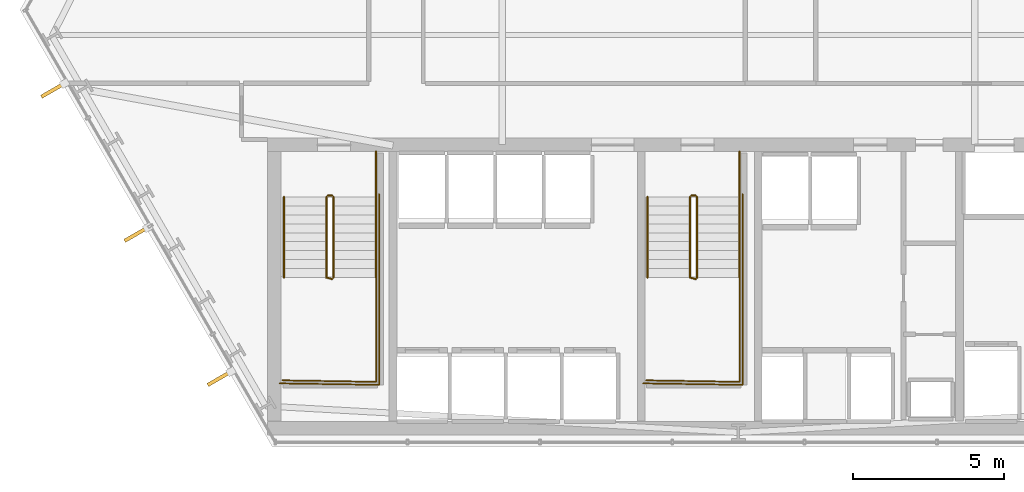
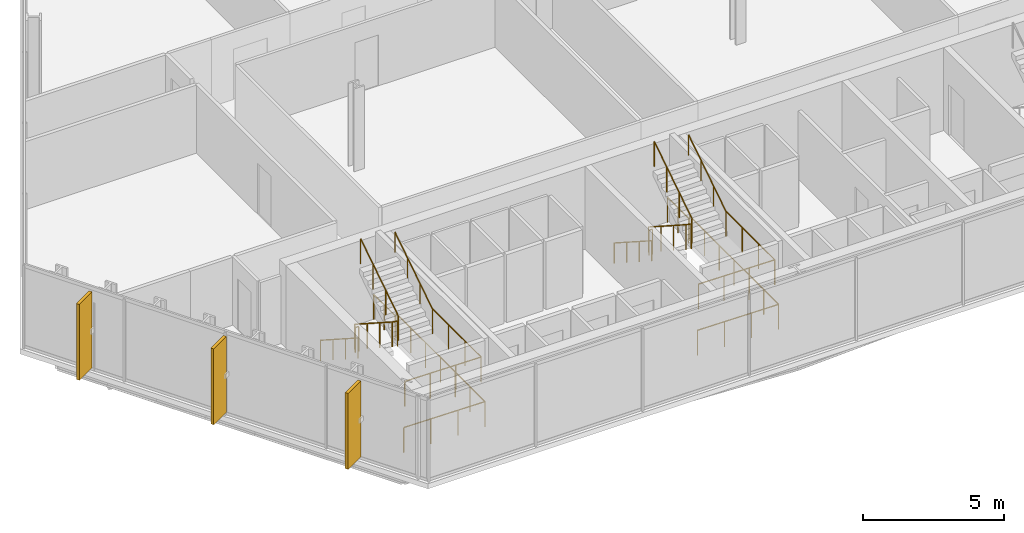
# One storey, part 30 of 33: 16 railings, 3 shading devices.
"""IFC4 building model written with IfcOpenShell, lengths in metres."""

import ifcopenshell
import ifcopenshell.guid

model = None  # the IFC model being written
_history = None  # IfcOwnerHistory: only IFC2X3 demands one
_inside = {}  # id of a spatial element -> (the spatial element, [elements in it])
_under = {}  # id of a project, library or spatial element -> (it, [spatial elements below it])
_declared = {}  # id of a project -> (the project, [libraries it declares])
_typed = {}  # id of a type object -> (the type object, [elements of that type])
_made_of = {}  # id of a material, layer set ... -> (it, [elements and type objects made of it])


def new_model(schema):
    """Start an empty IFC model of exactly this schema.

    Asked for "IFC4X3", IfcOpenShell would pick the latest addendum, in which some entities
    have other attributes; the version numbers below select the first issue.
    IFC2X3 requires an IfcOwnerHistory on every rooted entity: one is made here for all.
    """
    global model, _history
    if schema == "IFC4X3":
        model = ifcopenshell.file(schema_version=(4, 3, 0, 0))
    else:
        model = ifcopenshell.file(schema=schema)
    _inside.clear()
    _under.clear()
    _declared.clear()
    _typed.clear()
    _made_of.clear()
    _history = None
    if model.schema == "IFC2X3":
        org = make("IfcOrganization", Name="unknown")
        user = make(
            "IfcPersonAndOrganization",
            ThePerson=make("IfcPerson", FamilyName="unknown"),
            TheOrganization=org,
        )
        app = make(
            "IfcApplication",
            ApplicationDeveloper=org,
            Version="unknown",
            ApplicationFullName="unknown",
            ApplicationIdentifier="unknown",
        )
        _history = make(
            "IfcOwnerHistory",
            OwningUser=user,
            OwningApplication=app,
            ChangeAction="ADDED",
            CreationDate=0,
        )
    return model


def make(cls, **values):
    """One entity of the class cls with the attributes given. An attribute that is None is left unset."""
    return model.create_entity(
        cls, **{name: value for name, value in values.items() if value is not None}
    )


def rooted(cls, **values):
    """An entity with a GlobalId (a new one), such as an element, a storey or a relation."""
    return make(cls, GlobalId=ifcopenshell.guid.new(), OwnerHistory=_history, **values)


def si_unit(unit_type, name, prefix=None):
    """IfcSIUnit, for example si_unit("LENGTHUNIT", "METRE", prefix="MILLI")."""
    return make("IfcSIUnit", UnitType=unit_type, Prefix=prefix, Name=name)


def assignment(units):
    """IfcUnitAssignment: the units of a project."""
    return None if units is None else make("IfcUnitAssignment", Units=units)


def point(xyz):
    """IfcCartesianPoint."""
    return None if xyz is None else make("IfcCartesianPoint", Coordinates=xyz)


def direction(xyz):
    """IfcDirection."""
    return None if xyz is None else make("IfcDirection", DirectionRatios=xyz)


def frame(location, z_axis=None, x_axis=None):
    """IfcAxis2Placement3D, a coordinate frame: its origin and axes. An axis left out is left unset."""
    return make(
        "IfcAxis2Placement3D",
        Location=point(location),
        Axis=direction(z_axis),
        RefDirection=direction(x_axis),
    )


def frame_2d(location, x_axis=None):
    """IfcAxis2Placement2D, a coordinate frame in the plane: its origin and x axis."""
    return make(
        "IfcAxis2Placement2D", Location=point(location), RefDirection=direction(x_axis)
    )


def origin():
    """The frame at (0, 0, 0) with its axes left unset."""
    return frame((0.0, 0.0, 0.0))


def origin_2d():
    """The frame at (0, 0) in the plane with its x axis left unset."""
    return frame_2d((0.0, 0.0))


def place(relative_to, where):
    """IfcLocalPlacement: puts the frame where relative to a parent placement (None: the world)."""
    return make(
        "IfcLocalPlacement", PlacementRelTo=relative_to, RelativePlacement=where
    )


def context(
    kind, dimensions, precision=None, world=None, true_north=None, identifier=None
):
    """IfcGeometricRepresentationContext, for example the 3D "Model" context."""
    return make(
        "IfcGeometricRepresentationContext",
        ContextIdentifier=identifier,
        ContextType=kind,
        CoordinateSpaceDimension=dimensions,
        Precision=precision,
        WorldCoordinateSystem=world,
        TrueNorth=true_north,
    )


def subcontext(parent, identifier, kind, view, scale=None):
    """IfcGeometricRepresentationSubContext, for example "Body" below "Model"."""
    return make(
        "IfcGeometricRepresentationSubContext",
        ContextIdentifier=identifier,
        ContextType=kind,
        ParentContext=parent,
        TargetScale=scale,
        TargetView=view,
    )


def project(units=None, contexts=None):
    """IfcProject with its units and contexts."""
    return rooted(
        "IfcProject",
        Name="project",
        RepresentationContexts=contexts,
        UnitsInContext=assignment(units),
    )


def spatial(cls, under=None, at=None, **own):
    """A site, building, storey or space (cls), placed at a placement, below another one or the project."""
    s = rooted(cls, ObjectPlacement=at, **own)
    if under is not None:
        _under.setdefault(under.id(), (under, []))[1].append(s)
    return s


def profile(cls, at=None, kind="AREA", **sizes):
    """A parametric profile (cls). Its sizes go by their IFC names, for example OverallWidth=200.0."""
    return make(cls, ProfileType=kind, Position=at, **sizes)


def rectangle(**sizes):
    """IfcRectangleProfileDef."""
    return profile("IfcRectangleProfileDef", **sizes)


def circle(**sizes):
    """IfcCircleProfileDef."""
    return profile("IfcCircleProfileDef", **sizes)


def extrude(swept, where, along, depth):
    """IfcExtrudedAreaSolid: the profile swept, set in the frame where, extruded along a direction by depth."""
    return make(
        "IfcExtrudedAreaSolid",
        SweptArea=swept,
        Position=where,
        ExtrudedDirection=direction(along),
        Depth=depth,
    )


def shape(context_of_items, identifier, shape_type, items):
    """IfcShapeRepresentation: the items that make up one representation, for example the "Body"."""
    return make(
        "IfcShapeRepresentation",
        ContextOfItems=context_of_items,
        RepresentationIdentifier=identifier,
        RepresentationType=shape_type,
        Items=items,
    )


def material(Name=None, Category=None):
    """IfcMaterial."""
    return make("IfcMaterial", Name=Name, Category=Category)


def layer(
    of_material, thickness, ventilated=None, Name=None, Category=None, Priority=None
):
    """IfcMaterialLayer: one layer of a wall or slab, of a material (None: an air gap)."""
    return make(
        "IfcMaterialLayer",
        Material=of_material,
        LayerThickness=thickness,
        IsVentilated=ventilated,
        Name=Name,
        Category=Category,
        Priority=Priority,
    )


def layer_set(layers, Name=None):
    """IfcMaterialLayerSet."""
    return make("IfcMaterialLayerSet", MaterialLayers=layers, LayerSetName=Name)


def made_of(thing, what):
    """Note that an element or type object is made of a material, layer set ...; save() writes the relation."""
    if what is not None:
        _made_of.setdefault(what.id(), (what, []))[1].append(thing)
    return thing


def type_object(cls, material=None, **own):
    """A type object (cls), such as IfcWallType, which elements share."""
    return made_of(rooted(cls, **own), material)


def element(
    cls,
    number,
    at=None,
    inside=None,
    cuts=None,
    type_object=None,
    material=None,
    context=None,
    identifier="Body",
    shape_type=None,
    held_by="IfcProductDefinitionShape",
    body=None,
    shapes=None,
    **own,
):
    """One element of the class cls, such as IfcWall. Its Tag is "e" and its number.

    at: its placement. inside: the storey or other place that contains it. cuts: it is an
    opening in that element (IfcRelVoidsElement). A single representation is given by context,
    identifier, shape_type and body (its items); several are given by shapes. held_by: the class
    of the entity that holds the representations. save() writes the other relations.
    """
    e = rooted(cls, Tag="e%d" % number, ObjectPlacement=at, **own)
    if body is not None:
        shapes = [shape(context, identifier, shape_type, body)]
    if shapes is not None:
        e.Representation = make(held_by, Representations=shapes)
    if inside is not None:
        _inside.setdefault(inside.id(), (inside, []))[1].append(e)
    if cuts is not None:
        rooted(
            "IfcRelVoidsElement", RelatingBuildingElement=cuts, RelatedOpeningElement=e
        )
    if type_object is not None:
        _typed.setdefault(type_object.id(), (type_object, []))[1].append(e)
    return made_of(e, material)


def aggregate(whole, parts):
    """IfcRelAggregates: a whole, such as a stair, and the parts it consists of."""
    return rooted("IfcRelAggregates", RelatingObject=whole, RelatedObjects=parts)


def save(model, path):
    """Write the relations noted so far, then the file.

    IfcRelAggregates (storeys below a building ...), IfcRelContainedInSpatialStructure (elements
    in a storey), IfcRelDefinesByType, IfcRelAssociatesMaterial and IfcRelDeclares: one each for
    every whole, place, type object, material and project.
    """
    for whole, parts in _under.values():
        aggregate(whole, parts)
    for where, things in _inside.values():
        rooted(
            "IfcRelContainedInSpatialStructure",
            RelatedElements=things,
            RelatingStructure=where,
        )
    for kind, things in _typed.values():
        rooted("IfcRelDefinesByType", RelatedObjects=things, RelatingType=kind)
    for what, things in _made_of.values():
        rooted("IfcRelAssociatesMaterial", RelatedObjects=things, RelatingMaterial=what)
    for by, libraries in _declared.values():
        rooted("IfcRelDeclares", RelatingContext=by, RelatedDefinitions=libraries)
    model.write(path)


model = new_model("IFC4")

# Units and contexts
model_context = context("Model", 3, precision=1e-05, world=origin(), true_north=direction((0.0, 1.0)))
body_context = subcontext(model_context, "Body", "Model", "MODEL_VIEW")
ifc_project = project(units=[si_unit("LENGTHUNIT", "METRE"), si_unit("AREAUNIT", "SQUARE_METRE"), si_unit("VOLUMEUNIT", "CUBIC_METRE"), si_unit("PLANEANGLEUNIT", "RADIAN"), si_unit("MASSUNIT", "GRAM", prefix="KILO")], contexts=[model_context])

# Site, building, storey
site_placement = place(None, origin())
site = spatial("IfcSite", under=ifc_project, at=site_placement, CompositionType="ELEMENT")
building_placement = place(site_placement, origin())
building = spatial("IfcBuilding", under=site, at=building_placement, Name="Ndaravel Arena Tower", CompositionType="ELEMENT")
storey_placement = place(building_placement, frame((0.0, 0.0, 39.800048828125)))
storey = spatial("IfcBuildingStorey", under=building, at=storey_placement, Name="L07", CompositionType="ELEMENT", Elevation=39.800048828125)

# Railings
ifc_material_1 = material(Name="Steel S355", Category="steel")
ifc_layer_1 = layer(ifc_material_1, 0.06005859375)
ifc_layer_set_1 = layer_set([ifc_layer_1], Name="Steel S355")
railing_type_1 = type_object("IfcRailingType", Name="RAIL-STAIR-GD1100", PredefinedType="GUARDRAIL", material=ifc_layer_set_1)
railing_1_placement = place(storey_placement, frame((28.39990234375, 13.25, 0.18994140625)))
element("IfcRailing", 1, at=railing_1_placement, inside=storey, type_object=railing_type_1, Name="L07 ST-1 stair guard 1", PredefinedType="GUARDRAIL", context=body_context, shape_type="SweptSolid", body=[
    extrude(circle(Radius=0.02392578125, at=origin_2d()), frame((0.0, 0.0, 1.076171875), z_axis=(0.0, -0.840723540582, 0.54146461409), x_axis=(1.0, 0.0, 0.0)), (0.0, 0.0, 1.0), 3.157958984375),
    extrude(circle(Radius=0.02392578125, at=origin_2d()), frame((0.0, -2.655029296875, 2.7861328125), z_axis=(0.967074537263, -0.25449329928, 0.0), x_axis=(0.25449329928, 0.967074537263, 0.0)), (0.0, 0.0, 1.0), 0.19677734375),
    extrude(circle(Radius=0.02099609375, at=origin_2d()), origin(), (0.0, 0.0, 1.0), 1.052001953125),
    extrude(circle(Radius=0.02099609375, at=origin_2d()), frame((0.0, -0.885009765625, 0.570068359375)), (0.0, 0.0, 1.0), 1.052001953125),
    extrude(circle(Radius=0.02099609375, at=origin_2d()), frame((0.0, -1.77001953125, 1.139892578125)), (0.0, 0.0, 1.0), 1.052001953125),
    extrude(circle(Radius=0.02099609375, at=origin_2d()), frame((0.0, -2.655029296875, 1.7099609375)), (0.0, 0.0, 1.0), 1.052001953125),
    extrude(circle(Radius=0.02099609375, at=origin_2d()), frame((0.190185546875, -2.705078125, 1.7099609375)), (0.0, 0.0, 1.0), 1.052001953125),
])
railing_2_placement = place(storey_placement, frame((30.0400390625, 10.594970703125, 1.89990234375)))
element("IfcRailing", 2, at=railing_2_placement, inside=storey, type_object=railing_type_1, Name="L07 ST-1 stair guard 2", PredefinedType="GUARDRAIL", context=body_context, shape_type="SweptSolid", body=[
    extrude(circle(Radius=0.02392578125, at=origin_2d()), frame((0.0, 0.0, 1.076171875), z_axis=(0.0, -1.0, 0.0), x_axis=(1.0, 0.0, 0.0)), (0.0, 0.0, 1.0), 3.445068359375),
    extrude(circle(Radius=0.02392578125, at=origin_2d()), frame((0.0, -3.445068359375, 1.076171875), z_axis=(-0.999868861343, 0.016194447071, 0.0), x_axis=(-0.016194447071, -0.999868861343, 0.0)), (0.0, 0.0, 1.0), 3.090576171875),
    extrude(circle(Radius=0.02099609375, at=origin_2d()), origin(), (0.0, 0.0, 1.0), 1.052001953125),
    extrude(circle(Radius=0.02099609375, at=origin_2d()), frame((0.0, -1.1484375, 0.0)), (0.0, 0.0, 1.0), 1.052001953125),
    extrude(circle(Radius=0.02099609375, at=origin_2d()), frame((0.0, -2.296630859375, 0.0)), (0.0, 0.0, 1.0), 1.052001953125),
    extrude(circle(Radius=0.02099609375, at=origin_2d()), frame((0.0, -3.445068359375, 0.0)), (0.0, 0.0, 1.0), 1.052001953125),
    extrude(circle(Radius=0.02099609375, at=origin_2d()), frame((-1.030029296875, -3.428466796875, 0.0)), (0.0, 0.0, 1.0), 1.052001953125),
    extrude(circle(Radius=0.02099609375, at=origin_2d()), frame((-2.06005859375, -3.41162109375, 0.0)), (0.0, 0.0, 1.0), 1.052001953125),
    extrude(circle(Radius=0.02099609375, at=origin_2d()), frame((-3.090087890625, -3.39501953125, 0.0)), (0.0, 0.0, 1.0), 1.052001953125),
])
railing_3_placement = place(storey_placement, frame((28.639892578125, 10.594970703125, 2.08984375)))
element("IfcRailing", 3, at=railing_3_placement, inside=storey, type_object=railing_type_1, Name="L07 ST-1 stair guard 3", PredefinedType="GUARDRAIL", context=body_context, shape_type="SweptSolid", body=[
    extrude(circle(Radius=0.02392578125, at=origin_2d()), frame((0.0, 0.0, 1.076171875), z_axis=(0.0, 0.840688348013, 0.541519253134), x_axis=(-1.0, 0.0, 0.0)), (0.0, 0.0, 1.0), 3.158203125),
    extrude(circle(Radius=0.02099609375, at=origin_2d()), origin(), (0.0, 0.0, 1.0), 1.052001953125),
    extrude(circle(Radius=0.02099609375, at=origin_2d()), frame((0.0, 0.885009765625, 0.570068359375)), (0.0, 0.0, 1.0), 1.052001953125),
    extrude(circle(Radius=0.02099609375, at=origin_2d()), frame((0.0, 1.77001953125, 1.14013671875)), (0.0, 0.0, 1.0), 1.052001953125),
    extrude(circle(Radius=0.02099609375, at=origin_2d()), frame((0.0, 2.655029296875, 1.710205078125)), (0.0, 0.0, 1.0), 1.052001953125),
])
railing_4_placement = place(storey_placement, frame((28.449951171875, 13.300048828125, 0.0)))
element("IfcRailing", 4, at=railing_4_placement, inside=storey, type_object=railing_type_1, Name="L07 ST-1 stair guard 4", PredefinedType="GUARDRAIL", context=body_context, shape_type="SweptSolid", body=[
    extrude(circle(Radius=0.02392578125, at=origin_2d()), frame((0.0, 0.0, 1.076171875), z_axis=(1.0, 0.0, 0.0), x_axis=(0.0, 1.0, 0.0)), (0.0, 0.0, 1.0), 0.14013671875),
    extrude(circle(Radius=0.02099609375, at=origin_2d()), origin(), (0.0, 0.0, 1.0), 1.052001953125),
    extrude(circle(Radius=0.02099609375, at=origin_2d()), frame((0.14013671875, 0.0, 0.0)), (0.0, 0.0, 1.0), 1.052001953125),
])
railing_5_placement = place(storey_placement, frame((30.0400390625, 14.75, 0.0)))
element("IfcRailing", 5, at=railing_5_placement, inside=storey, type_object=railing_type_1, Name="L07 ST-1 stair guard 5", PredefinedType="GUARDRAIL", context=body_context, shape_type="SweptSolid", body=[
    extrude(circle(Radius=0.02392578125, at=origin_2d()), frame((0.0, 0.0, 1.076171875), z_axis=(0.0, -1.0, 0.0), x_axis=(1.0, 0.0, 0.0)), (0.0, 0.0, 1.0), 1.5),
    extrude(circle(Radius=0.02099609375, at=origin_2d()), origin(), (0.0, 0.0, 1.0), 1.052001953125),
    extrude(circle(Radius=0.02099609375, at=origin_2d()), frame((0.0, -0.75, 0.0)), (0.0, 0.0, 1.0), 1.052001953125),
    extrude(circle(Radius=0.02099609375, at=origin_2d()), frame((0.0, -1.5, 0.0)), (0.0, 0.0, 1.0), 1.052001953125),
])
railing_6_placement = place(storey_placement, frame((30.139892578125, 13.35009765625, 0.0)))
element("IfcRailing", 6, at=railing_6_placement, inside=storey, type_object=railing_type_1, Name="L07 ST-1 stair guard 6", PredefinedType="GUARDRAIL", context=body_context, shape_type="SweptSolid", body=[
    extrude(circle(Radius=0.02392578125, at=origin_2d()), frame((0.0, 0.0, 1.076171875), z_axis=(0.0, -1.0, 0.0), x_axis=(1.0, 0.0, 0.0)), (0.0, 0.0, 1.0), 6.300048828125),
    extrude(circle(Radius=0.02392578125, at=origin_2d()), frame((0.0, -6.300048828125, 1.076171875), z_axis=(-0.999884296952, 0.015211597839, 0.0), x_axis=(-0.015211597839, -0.999884296952, 0.0)), (0.0, 0.0, 1.0), 3.290283203125),
    extrude(circle(Radius=0.02099609375, at=origin_2d()), origin(), (0.0, 0.0, 1.0), 1.052001953125),
    extrude(circle(Radius=0.02099609375, at=origin_2d()), frame((0.0, -1.050048828125, 0.0)), (0.0, 0.0, 1.0), 1.052001953125),
    extrude(circle(Radius=0.02099609375, at=origin_2d()), frame((0.0, -2.10009765625, 0.0)), (0.0, 0.0, 1.0), 1.052001953125),
    extrude(circle(Radius=0.02099609375, at=origin_2d()), frame((0.0, -3.14990234375, 0.0)), (0.0, 0.0, 1.0), 1.052001953125),
    extrude(circle(Radius=0.02099609375, at=origin_2d()), frame((0.0, -4.199951171875, 0.0)), (0.0, 0.0, 1.0), 1.052001953125),
    extrude(circle(Radius=0.02099609375, at=origin_2d()), frame((0.0, -5.25, 0.0)), (0.0, 0.0, 1.0), 1.052001953125),
    extrude(circle(Radius=0.02099609375, at=origin_2d()), frame((0.0, -6.300048828125, 0.0)), (0.0, 0.0, 1.0), 1.052001953125),
    extrude(circle(Radius=0.02099609375, at=origin_2d()), frame((-1.0966796875, -6.283447265625, 0.0)), (0.0, 0.0, 1.0), 1.052001953125),
    extrude(circle(Radius=0.02099609375, at=origin_2d()), frame((-2.193115234375, -6.2666015625, 0.0)), (0.0, 0.0, 1.0), 1.052001953125),
    extrude(circle(Radius=0.02099609375, at=origin_2d()), frame((-3.289794921875, -6.25, 0.0)), (0.0, 0.0, 1.0), 1.052001953125),
])
railing_7_placement = place(storey_placement, frame((40.39990234375, 13.25, 0.18994140625)))
element("IfcRailing", 7, at=railing_7_placement, inside=storey, type_object=railing_type_1, Name="L07 ST-2 stair guard 1", PredefinedType="GUARDRAIL", context=body_context, shape_type="SweptSolid", body=[
    extrude(circle(Radius=0.02392578125, at=origin_2d()), frame((0.0, 0.0, 1.076171875), z_axis=(0.0, -0.840723540582, 0.54146461409), x_axis=(1.0, 0.0, 0.0)), (0.0, 0.0, 1.0), 3.157958984375),
    extrude(circle(Radius=0.02392578125, at=origin_2d()), frame((0.0, -2.655029296875, 2.7861328125), z_axis=(0.967074537263, -0.25449329928, 0.0), x_axis=(0.25449329928, 0.967074537263, 0.0)), (0.0, 0.0, 1.0), 0.19677734375),
    extrude(circle(Radius=0.02099609375, at=origin_2d()), origin(), (0.0, 0.0, 1.0), 1.052001953125),
    extrude(circle(Radius=0.02099609375, at=origin_2d()), frame((0.0, -0.885009765625, 0.570068359375)), (0.0, 0.0, 1.0), 1.052001953125),
    extrude(circle(Radius=0.02099609375, at=origin_2d()), frame((0.0, -1.77001953125, 1.139892578125)), (0.0, 0.0, 1.0), 1.052001953125),
    extrude(circle(Radius=0.02099609375, at=origin_2d()), frame((0.0, -2.655029296875, 1.7099609375)), (0.0, 0.0, 1.0), 1.052001953125),
    extrude(circle(Radius=0.02099609375, at=origin_2d()), frame((0.190185546875, -2.705078125, 1.7099609375)), (0.0, 0.0, 1.0), 1.052001953125),
])
railing_8_placement = place(storey_placement, frame((42.0400390625, 10.594970703125, 1.89990234375)))
element("IfcRailing", 8, at=railing_8_placement, inside=storey, type_object=railing_type_1, Name="L07 ST-2 stair guard 2", PredefinedType="GUARDRAIL", context=body_context, shape_type="SweptSolid", body=[
    extrude(circle(Radius=0.02392578125, at=origin_2d()), frame((0.0, 0.0, 1.076171875), z_axis=(0.0, -1.0, 0.0), x_axis=(1.0, 0.0, 0.0)), (0.0, 0.0, 1.0), 3.445068359375),
    extrude(circle(Radius=0.02392578125, at=origin_2d()), frame((0.0, -3.445068359375, 1.076171875), z_axis=(-0.999868861343, 0.016194447071, 0.0), x_axis=(-0.016194447071, -0.999868861343, 0.0)), (0.0, 0.0, 1.0), 3.090576171875),
    extrude(circle(Radius=0.02099609375, at=origin_2d()), origin(), (0.0, 0.0, 1.0), 1.052001953125),
    extrude(circle(Radius=0.02099609375, at=origin_2d()), frame((0.0, -1.1484375, 0.0)), (0.0, 0.0, 1.0), 1.052001953125),
    extrude(circle(Radius=0.02099609375, at=origin_2d()), frame((0.0, -2.296630859375, 0.0)), (0.0, 0.0, 1.0), 1.052001953125),
    extrude(circle(Radius=0.02099609375, at=origin_2d()), frame((0.0, -3.445068359375, 0.0)), (0.0, 0.0, 1.0), 1.052001953125),
    extrude(circle(Radius=0.02099609375, at=origin_2d()), frame((-1.030029296875, -3.428466796875, 0.0)), (0.0, 0.0, 1.0), 1.052001953125),
    extrude(circle(Radius=0.02099609375, at=origin_2d()), frame((-2.06005859375, -3.41162109375, 0.0)), (0.0, 0.0, 1.0), 1.052001953125),
    extrude(circle(Radius=0.02099609375, at=origin_2d()), frame((-3.090087890625, -3.39501953125, 0.0)), (0.0, 0.0, 1.0), 1.052001953125),
])
railing_9_placement = place(storey_placement, frame((40.639892578125, 10.594970703125, 2.08984375)))
element("IfcRailing", 9, at=railing_9_placement, inside=storey, type_object=railing_type_1, Name="L07 ST-2 stair guard 3", PredefinedType="GUARDRAIL", context=body_context, shape_type="SweptSolid", body=[
    extrude(circle(Radius=0.02392578125, at=origin_2d()), frame((0.0, 0.0, 1.076171875), z_axis=(0.0, 0.840688348013, 0.541519253134), x_axis=(-1.0, 0.0, 0.0)), (0.0, 0.0, 1.0), 3.158203125),
    extrude(circle(Radius=0.02099609375, at=origin_2d()), origin(), (0.0, 0.0, 1.0), 1.052001953125),
    extrude(circle(Radius=0.02099609375, at=origin_2d()), frame((0.0, 0.885009765625, 0.570068359375)), (0.0, 0.0, 1.0), 1.052001953125),
    extrude(circle(Radius=0.02099609375, at=origin_2d()), frame((0.0, 1.77001953125, 1.14013671875)), (0.0, 0.0, 1.0), 1.052001953125),
    extrude(circle(Radius=0.02099609375, at=origin_2d()), frame((0.0, 2.655029296875, 1.710205078125)), (0.0, 0.0, 1.0), 1.052001953125),
])
railing_10_placement = place(storey_placement, frame((40.449951171875, 13.300048828125, 0.0)))
element("IfcRailing", 10, at=railing_10_placement, inside=storey, type_object=railing_type_1, Name="L07 ST-2 stair guard 4", PredefinedType="GUARDRAIL", context=body_context, shape_type="SweptSolid", body=[
    extrude(circle(Radius=0.02392578125, at=origin_2d()), frame((0.0, 0.0, 1.076171875), z_axis=(1.0, 0.0, 0.0), x_axis=(0.0, 1.0, 0.0)), (0.0, 0.0, 1.0), 0.14013671875),
    extrude(circle(Radius=0.02099609375, at=origin_2d()), origin(), (0.0, 0.0, 1.0), 1.052001953125),
    extrude(circle(Radius=0.02099609375, at=origin_2d()), frame((0.14013671875, 0.0, 0.0)), (0.0, 0.0, 1.0), 1.052001953125),
])
railing_11_placement = place(storey_placement, frame((42.0400390625, 14.75, 0.0)))
element("IfcRailing", 11, at=railing_11_placement, inside=storey, type_object=railing_type_1, Name="L07 ST-2 stair guard 5", PredefinedType="GUARDRAIL", context=body_context, shape_type="SweptSolid", body=[
    extrude(circle(Radius=0.02392578125, at=origin_2d()), frame((0.0, 0.0, 1.076171875), z_axis=(0.0, -1.0, 0.0), x_axis=(1.0, 0.0, 0.0)), (0.0, 0.0, 1.0), 1.5),
    extrude(circle(Radius=0.02099609375, at=origin_2d()), origin(), (0.0, 0.0, 1.0), 1.052001953125),
    extrude(circle(Radius=0.02099609375, at=origin_2d()), frame((0.0, -0.75, 0.0)), (0.0, 0.0, 1.0), 1.052001953125),
    extrude(circle(Radius=0.02099609375, at=origin_2d()), frame((0.0, -1.5, 0.0)), (0.0, 0.0, 1.0), 1.052001953125),
])
railing_12_placement = place(storey_placement, frame((42.139892578125, 13.35009765625, 0.0)))
element("IfcRailing", 12, at=railing_12_placement, inside=storey, type_object=railing_type_1, Name="L07 ST-2 stair guard 6", PredefinedType="GUARDRAIL", context=body_context, shape_type="SweptSolid", body=[
    extrude(circle(Radius=0.02392578125, at=origin_2d()), frame((0.0, 0.0, 1.076171875), z_axis=(0.0, -1.0, 0.0), x_axis=(1.0, 0.0, 0.0)), (0.0, 0.0, 1.0), 6.300048828125),
    extrude(circle(Radius=0.02392578125, at=origin_2d()), frame((0.0, -6.300048828125, 1.076171875), z_axis=(-0.999884296952, 0.015211597839, 0.0), x_axis=(-0.015211597839, -0.999884296952, 0.0)), (0.0, 0.0, 1.0), 3.290283203125),
    extrude(circle(Radius=0.02099609375, at=origin_2d()), origin(), (0.0, 0.0, 1.0), 1.052001953125),
    extrude(circle(Radius=0.02099609375, at=origin_2d()), frame((0.0, -1.050048828125, 0.0)), (0.0, 0.0, 1.0), 1.052001953125),
    extrude(circle(Radius=0.02099609375, at=origin_2d()), frame((0.0, -2.10009765625, 0.0)), (0.0, 0.0, 1.0), 1.052001953125),
    extrude(circle(Radius=0.02099609375, at=origin_2d()), frame((0.0, -3.14990234375, 0.0)), (0.0, 0.0, 1.0), 1.052001953125),
    extrude(circle(Radius=0.02099609375, at=origin_2d()), frame((0.0, -4.199951171875, 0.0)), (0.0, 0.0, 1.0), 1.052001953125),
    extrude(circle(Radius=0.02099609375, at=origin_2d()), frame((0.0, -5.25, 0.0)), (0.0, 0.0, 1.0), 1.052001953125),
    extrude(circle(Radius=0.02099609375, at=origin_2d()), frame((0.0, -6.300048828125, 0.0)), (0.0, 0.0, 1.0), 1.052001953125),
    extrude(circle(Radius=0.02099609375, at=origin_2d()), frame((-1.0966796875, -6.283447265625, 0.0)), (0.0, 0.0, 1.0), 1.052001953125),
    extrude(circle(Radius=0.02099609375, at=origin_2d()), frame((-2.193115234375, -6.2666015625, 0.0)), (0.0, 0.0, 1.0), 1.052001953125),
    extrude(circle(Radius=0.02099609375, at=origin_2d()), frame((-3.289794921875, -6.25, 0.0)), (0.0, 0.0, 1.0), 1.052001953125),
])
ifc_material_2 = material(Name="Steel S355", Category="steel")
ifc_layer_2 = layer(ifc_material_2, 0.050048828125)
ifc_layer_set_2 = layer_set([ifc_layer_2], Name="Steel S355")
railing_type_2 = type_object("IfcRailingType", Name="RAIL-STAIR-HR920", PredefinedType="HANDRAIL", material=ifc_layer_set_2)
railing_13_placement = place(storey_placement, frame((27.0, 13.25, 0.18994140625)))
element("IfcRailing", 13, at=railing_13_placement, inside=storey, type_object=railing_type_2, Name="L07 ST-1 stair handrail 1", PredefinedType="HANDRAIL", context=body_context, shape_type="SweptSolid", body=[
    extrude(circle(Radius=0.02392578125, at=origin_2d()), frame((0.0, 0.0, 0.8759765625), z_axis=(0.0, -0.840723540582, 0.54146461409), x_axis=(1.0, 0.0, 0.0)), (0.0, 0.0, 1.0), 3.157958984375),
    extrude(circle(Radius=0.02099609375, at=origin_2d()), origin(), (0.0, 0.0, 1.0), 0.851806640625),
    extrude(circle(Radius=0.02099609375, at=origin_2d()), frame((0.0, -0.885009765625, 0.570068359375)), (0.0, 0.0, 1.0), 0.851806640625),
    extrude(circle(Radius=0.02099609375, at=origin_2d()), frame((0.0, -1.77001953125, 1.139892578125)), (0.0, 0.0, 1.0), 0.851806640625),
    extrude(circle(Radius=0.02099609375, at=origin_2d()), frame((0.0, -2.655029296875, 1.7099609375)), (0.0, 0.0, 1.0), 0.851806640625),
])
railing_14_placement = place(storey_placement, frame((30.0400390625, 10.594970703125, 2.08984375)))
element("IfcRailing", 14, at=railing_14_placement, inside=storey, type_object=railing_type_2, Name="L07 ST-1 stair handrail 2", PredefinedType="HANDRAIL", context=body_context, shape_type="SweptSolid", body=[
    extrude(circle(Radius=0.02392578125, at=origin_2d()), frame((0.0, 0.0, 0.8759765625), z_axis=(0.0, 0.840688348013, 0.541519253134), x_axis=(-1.0, 0.0, 0.0)), (0.0, 0.0, 1.0), 3.158203125),
    extrude(circle(Radius=0.02099609375, at=origin_2d()), origin(), (0.0, 0.0, 1.0), 0.851806640625),
    extrude(circle(Radius=0.02099609375, at=origin_2d()), frame((0.0, 0.885009765625, 0.570068359375)), (0.0, 0.0, 1.0), 0.851806640625),
    extrude(circle(Radius=0.02099609375, at=origin_2d()), frame((0.0, 1.77001953125, 1.14013671875)), (0.0, 0.0, 1.0), 0.851806640625),
    extrude(circle(Radius=0.02099609375, at=origin_2d()), frame((0.0, 2.655029296875, 1.710205078125)), (0.0, 0.0, 1.0), 0.851806640625),
])
railing_15_placement = place(storey_placement, frame((39.0, 13.25, 0.18994140625)))
element("IfcRailing", 15, at=railing_15_placement, inside=storey, type_object=railing_type_2, Name="L07 ST-2 stair handrail 1", PredefinedType="HANDRAIL", context=body_context, shape_type="SweptSolid", body=[
    extrude(circle(Radius=0.02392578125, at=origin_2d()), frame((0.0, 0.0, 0.8759765625), z_axis=(0.0, -0.840723540582, 0.54146461409), x_axis=(1.0, 0.0, 0.0)), (0.0, 0.0, 1.0), 3.157958984375),
    extrude(circle(Radius=0.02099609375, at=origin_2d()), origin(), (0.0, 0.0, 1.0), 0.851806640625),
    extrude(circle(Radius=0.02099609375, at=origin_2d()), frame((0.0, -0.885009765625, 0.570068359375)), (0.0, 0.0, 1.0), 0.851806640625),
    extrude(circle(Radius=0.02099609375, at=origin_2d()), frame((0.0, -1.77001953125, 1.139892578125)), (0.0, 0.0, 1.0), 0.851806640625),
    extrude(circle(Radius=0.02099609375, at=origin_2d()), frame((0.0, -2.655029296875, 1.7099609375)), (0.0, 0.0, 1.0), 0.851806640625),
])
railing_16_placement = place(storey_placement, frame((42.0400390625, 10.594970703125, 2.08984375)))
element("IfcRailing", 16, at=railing_16_placement, inside=storey, type_object=railing_type_2, Name="L07 ST-2 stair handrail 2", PredefinedType="HANDRAIL", context=body_context, shape_type="SweptSolid", body=[
    extrude(circle(Radius=0.02392578125, at=origin_2d()), frame((0.0, 0.0, 0.8759765625), z_axis=(0.0, 0.840688348013, 0.541519253134), x_axis=(-1.0, 0.0, 0.0)), (0.0, 0.0, 1.0), 3.158203125),
    extrude(circle(Radius=0.02099609375, at=origin_2d()), origin(), (0.0, 0.0, 1.0), 0.851806640625),
    extrude(circle(Radius=0.02099609375, at=origin_2d()), frame((0.0, 0.885009765625, 0.570068359375)), (0.0, 0.0, 1.0), 0.851806640625),
    extrude(circle(Radius=0.02099609375, at=origin_2d()), frame((0.0, 1.77001953125, 1.14013671875)), (0.0, 0.0, 1.0), 0.851806640625),
    extrude(circle(Radius=0.02099609375, at=origin_2d()), frame((0.0, 2.655029296875, 1.710205078125)), (0.0, 0.0, 1.0), 0.851806640625),
])

# Shading devices
ifc_material_3 = material(Name="Masonry", Category="masonry")
shading_device_type = type_object("IfcShadingDeviceType", Name="SHD-MAZERAS-FIN", PredefinedType="SHUTTER", material=ifc_material_3)
for number, where, z_axis, x_axis, name in (
    (17, (19.3837890625, 16.78466796875, 0.14990234375), (0.0, 0.0, 1.0), (-0.866025403784, -0.5, 0.0), "L07 Mazeras Stone Solar Fin E6.1"),
    (18, (22.1298828125, 12.028076171875, 0.14990234375), (0.0, 0.0, 1.0), (-0.866025403784, -0.5, 0.0), "L07 Mazeras Stone Solar Fin E6.2"),
    (19, (24.876220703125, 7.271240234375, 0.14990234375), (0.0, 0.0, 1.0), (-0.866025403784, -0.5, 0.0), "L07 Mazeras Stone Solar Fin E6.3"),
):
    element("IfcShadingDevice", number, at=place(storey_placement, frame(where, z_axis=z_axis, x_axis=x_axis)), inside=storey, type_object=shading_device_type, Name=name, PredefinedType="SHUTTER", context=body_context, shape_type="SweptSolid", body=[
        extrude(rectangle(XDim=0.89990234375, YDim=0.1201171875, at=origin_2d()), origin(), (0.0, 0.0, 1.0), 3.280029296875),
    ])

save(model, "model.ifc")
